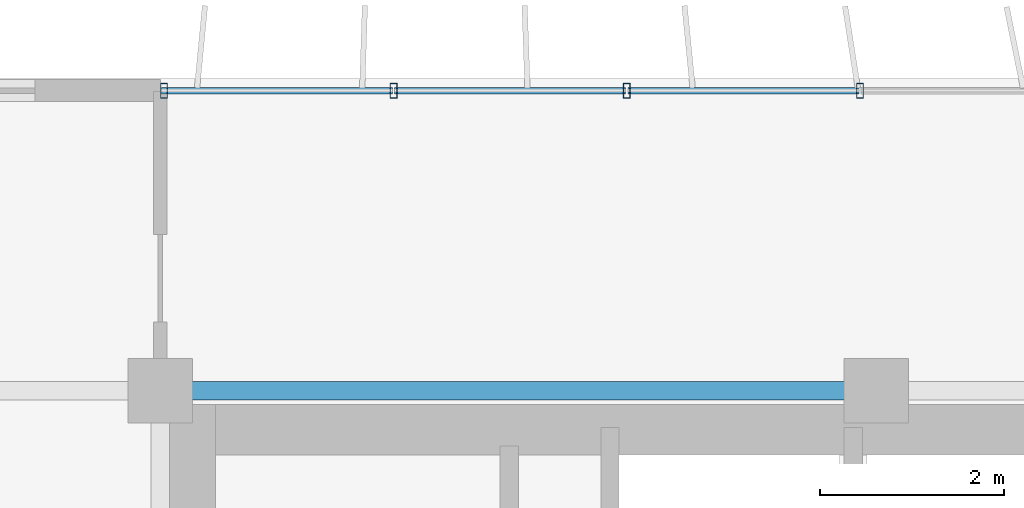
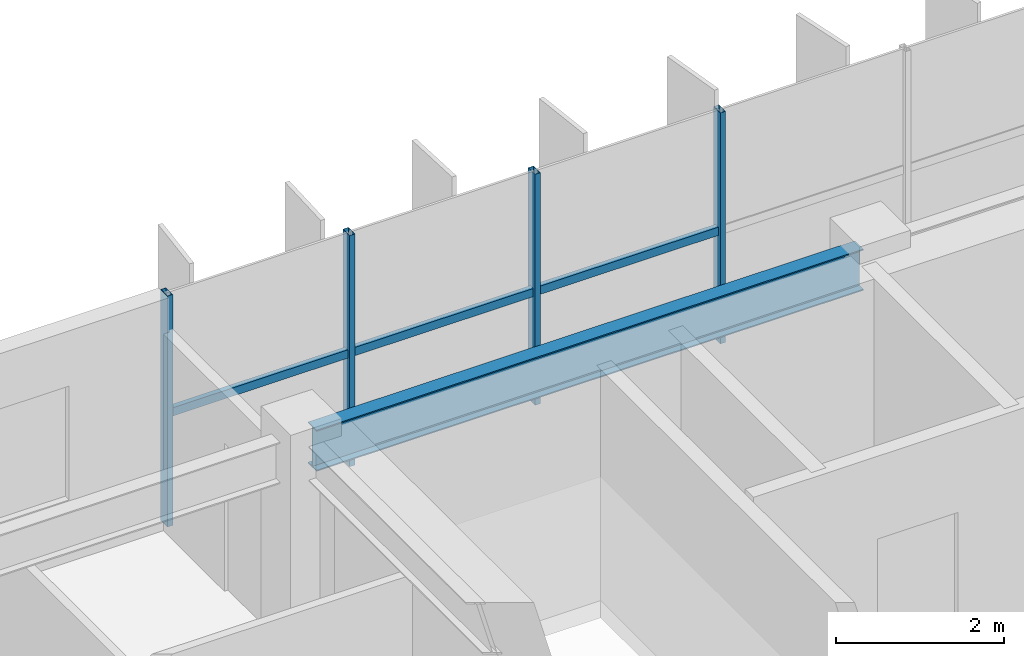
# One storey, part 7 of 24: 7 members, 1 beam, 1 element without a shape of its own.
"""IFC4 building model written with IfcOpenShell, lengths in metres."""

from ifc_helpers import new_model, si_unit, direction, frame, origin, origin_2d, place, context, subcontext, project, spatial, hollow_rectangle, i_section, extrude, source, transform, mapped, material, material_profile, profile_set, type_object, element, aggregate, save


model = new_model("IFC4")

# Units and contexts
model_context = context("Model", 3, precision=1e-05, world=origin(), true_north=direction((0.0, 1.0)))
body_context = subcontext(model_context, "Body", "Model", "MODEL_VIEW")
ifc_project = project(units=[si_unit("LENGTHUNIT", "METRE"), si_unit("AREAUNIT", "SQUARE_METRE"), si_unit("VOLUMEUNIT", "CUBIC_METRE"), si_unit("PLANEANGLEUNIT", "RADIAN"), si_unit("MASSUNIT", "GRAM", prefix="KILO")], contexts=[model_context])

# Site, building, storey
site_placement = place(None, origin())
site = spatial("IfcSite", under=ifc_project, at=site_placement, CompositionType="ELEMENT")
building_placement = place(site_placement, origin())
building = spatial("IfcBuilding", under=site, at=building_placement, Name="Trelvane Seafront Commons", CompositionType="ELEMENT")
storey_placement = place(building_placement, frame((0.0, 0.0, 175.300048828125)))
storey = spatial("IfcBuildingStorey", under=building, at=storey_placement, Name="L46", CompositionType="ELEMENT", Elevation=175.300048828125)

# Beam
ifc_material_1 = material(Name="Steel SM355 (S355)", Category="steel")
ifc_material_profile_1 = material_profile(ifc_material_1, i_section(OverallWidth=0.199951171875, OverallDepth=0.60009765625, WebThickness=0.010986328125, FlangeThickness=0.01708984375, at=origin_2d()), Name="H-600x200x11x17")
ifc_profile_set_1 = profile_set([ifc_material_profile_1], Name="Steel SM355 (S355)")
beam_type = type_object("IfcBeamType", Name="STR-SPD-H600", PredefinedType="SPANDREL", material=ifc_profile_set_1)
shared_shape_1 = source(origin(), body_context, "Body", "SweptSolid", [
    extrude(i_section(OverallWidth=0.199951171875, OverallDepth=0.60009765625, WebThickness=0.010986328125, FlangeThickness=0.01708984375, at=origin_2d()), origin(), (0.0, 0.0, 1.0), 7.5),
])
beam_placement = place(storey_placement, frame((15.75, 45.10009765625, 3.050048828125), z_axis=(1.0, 0.0, 0.0), x_axis=(0.0, 1.0, 0.0)))
element("IfcBeam", 1, at=beam_placement, inside=storey, type_object=beam_type, Name="L46 Primary Girder G-23", PredefinedType="SPANDREL", context=body_context, shape_type="MappedRepresentation", body=[
    mapped(shared_shape_1, transform((0.0, 0.0, 0.0), x_axis=(1.0, 0.0, 0.0), y_axis=(0.0, 1.0, 0.0), z_axis=(0.0, 0.0, 1.0), scale=1.0)),
])

# Curtain wall, members
ifc_material_2 = material(Name="Anodised pale-silver aluminium", Category="aluminium")
curtain_wall_type = type_object("IfcCurtainWallType", Name="ARCH-CW5-UPTOWER", PredefinedType="NOTDEFINED", material=ifc_material_2)
curtain_wall_placement = place(storey_placement, origin())
curtain_wall = element("IfcCurtainWall", 2, at=curtain_wall_placement, inside=storey, type_object=curtain_wall_type, Name="CW-L46-0073", PredefinedType="NOTDEFINED")
ifc_material_profile_2 = material_profile(ifc_material_2, hollow_rectangle(XDim=0.070068359375, YDim=0.1201171875, WallThickness=0.00390625, at=origin_2d()), Name="TRAN-70x120x4")
ifc_profile_set_2 = profile_set([ifc_material_profile_2], Name="Anodised pale-silver aluminium")
member_type_1 = type_object("IfcMemberType", Name="ARCH-CW-TRAN-120", PredefinedType="USERDEFINED", material=ifc_profile_set_2)
shared_shape_2 = source(origin(), body_context, "Body", "SweptSolid", [
    extrude(hollow_rectangle(XDim=0.070068359375, YDim=0.1201171875, WallThickness=0.00390625, at=origin_2d()), origin(), (0.0, 0.0, 1.0), 2.51708984375),
])
member_1_placement = place(storey_placement, frame((15.612060546875, 48.3701171875, 1.60791015625), z_axis=(1.0, 0.0, 0.0), x_axis=(0.0, 1.0, 0.0)))
member_1 = element("IfcMember", 3, at=member_1_placement, type_object=member_type_1, Name="CW-L46-0073-T00", ObjectType="TRANSOM", PredefinedType="USERDEFINED", context=body_context, shape_type="MappedRepresentation", body=[
    mapped(shared_shape_2, transform((0.0, 0.0, 0.0), x_axis=(1.0, 0.0, 0.0), y_axis=(0.0, 1.0, 0.0), z_axis=(0.0, 0.0, 1.0), scale=1.0)),
])
member_2_placement = place(storey_placement, frame((18.1533203125, 48.3701171875, 1.60791015625), z_axis=(1.0, 0.0, 0.0), x_axis=(0.0, 1.0, 0.0)))
member_2 = element("IfcMember", 4, at=member_2_placement, type_object=member_type_1, Name="CW-L46-0073-T01", ObjectType="TRANSOM", PredefinedType="USERDEFINED", context=body_context, shape_type="MappedRepresentation", body=[
    mapped(shared_shape_2, transform((0.0, 0.0, 0.0), x_axis=(1.0, 0.0, 0.0), y_axis=(0.0, 1.0, 0.0), z_axis=(0.0, 0.0, 1.0), scale=1.0)),
])
member_3_placement = place(storey_placement, frame((20.6943359375, 48.3701171875, 1.60791015625), z_axis=(1.0, 0.0, 0.0), x_axis=(0.0, 1.0, 0.0)))
member_3 = element("IfcMember", 5, at=member_3_placement, type_object=member_type_1, Name="CW-L46-0073-T02", ObjectType="TRANSOM", PredefinedType="USERDEFINED", context=body_context, shape_type="MappedRepresentation", body=[
    mapped(shared_shape_2, transform((0.0, 0.0, 0.0), x_axis=(1.0, 0.0, 0.0), y_axis=(0.0, 1.0, 0.0), z_axis=(0.0, 0.0, 1.0), scale=1.0)),
])
ifc_material_profile_3 = material_profile(ifc_material_2, hollow_rectangle(XDim=0.074951171875, YDim=0.159912109375, WallThickness=0.00390625, at=origin_2d()), Name="MULL-75x160x4")
ifc_profile_set_3 = profile_set([ifc_material_profile_3], Name="Anodised pale-silver aluminium")
member_type_2 = type_object("IfcMemberType", Name="ARCH-CW-MULL-160", PredefinedType="MULLION", material=ifc_profile_set_3)
shared_shape_3 = source(origin(), body_context, "Body", "SweptSolid", [
    extrude(hollow_rectangle(XDim=0.074951171875, YDim=0.159912109375, WallThickness=0.00390625, at=origin_2d()), origin(), (0.0, 0.0, 1.0), 3.349853515625),
])
member_4_placement = place(storey_placement, frame((15.639892578125, 48.3701171875, 0.0), z_axis=(0.0, 0.0, 1.0), x_axis=(1.0, 0.0, 0.0)))
member_4 = element("IfcMember", 6, at=member_4_placement, type_object=member_type_2, Name="CW-L46-0073-M00", PredefinedType="MULLION", context=body_context, shape_type="MappedRepresentation", body=[
    mapped(shared_shape_3, transform((0.0, 0.0, 0.0), x_axis=(1.0, 0.0, 0.0), y_axis=(0.0, 1.0, 0.0), z_axis=(0.0, 0.0, 1.0), scale=1.0)),
])
member_5_placement = place(storey_placement, frame((18.14111328125, 48.3701171875, 0.0), z_axis=(0.0, 0.0, 1.0), x_axis=(1.0, 0.0, 0.0)))
member_5 = element("IfcMember", 7, at=member_5_placement, type_object=member_type_2, Name="CW-L46-0073-M01", PredefinedType="MULLION", context=body_context, shape_type="MappedRepresentation", body=[
    mapped(shared_shape_3, transform((0.0, 0.0, 0.0), x_axis=(1.0, 0.0, 0.0), y_axis=(0.0, 1.0, 0.0), z_axis=(0.0, 0.0, 1.0), scale=1.0)),
])
member_6_placement = place(storey_placement, frame((20.682373046875, 48.3701171875, 0.0), z_axis=(0.0, 0.0, 1.0), x_axis=(1.0, 0.0, 0.0)))
member_6 = element("IfcMember", 8, at=member_6_placement, type_object=member_type_2, Name="CW-L46-0073-M02", PredefinedType="MULLION", context=body_context, shape_type="MappedRepresentation", body=[
    mapped(shared_shape_3, transform((0.0, 0.0, 0.0), x_axis=(1.0, 0.0, 0.0), y_axis=(0.0, 1.0, 0.0), z_axis=(0.0, 0.0, 1.0), scale=1.0)),
])
member_7_placement = place(storey_placement, frame((23.223388671875, 48.3701171875, 0.0), z_axis=(0.0, 0.0, 1.0), x_axis=(1.0, 0.0, 0.0)))
member_7 = element("IfcMember", 9, at=member_7_placement, type_object=member_type_2, Name="CW-L46-0073-M03", PredefinedType="MULLION", context=body_context, shape_type="MappedRepresentation", body=[
    mapped(shared_shape_3, transform((0.0, 0.0, 0.0), x_axis=(1.0, 0.0, 0.0), y_axis=(0.0, 1.0, 0.0), z_axis=(0.0, 0.0, 1.0), scale=1.0)),
])
aggregate(curtain_wall, [member_4, member_5, member_6, member_7, member_1, member_2, member_3])

save(model, "model.ifc")
